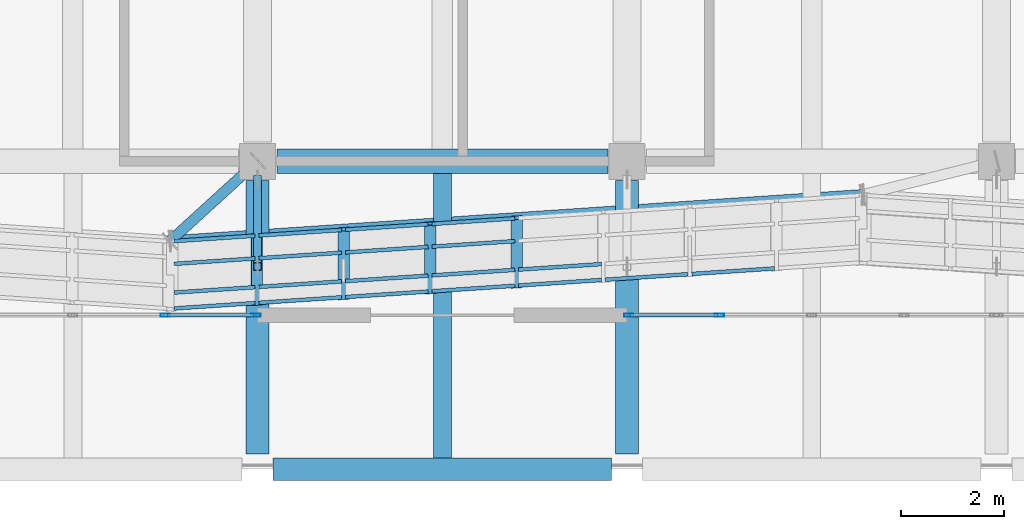
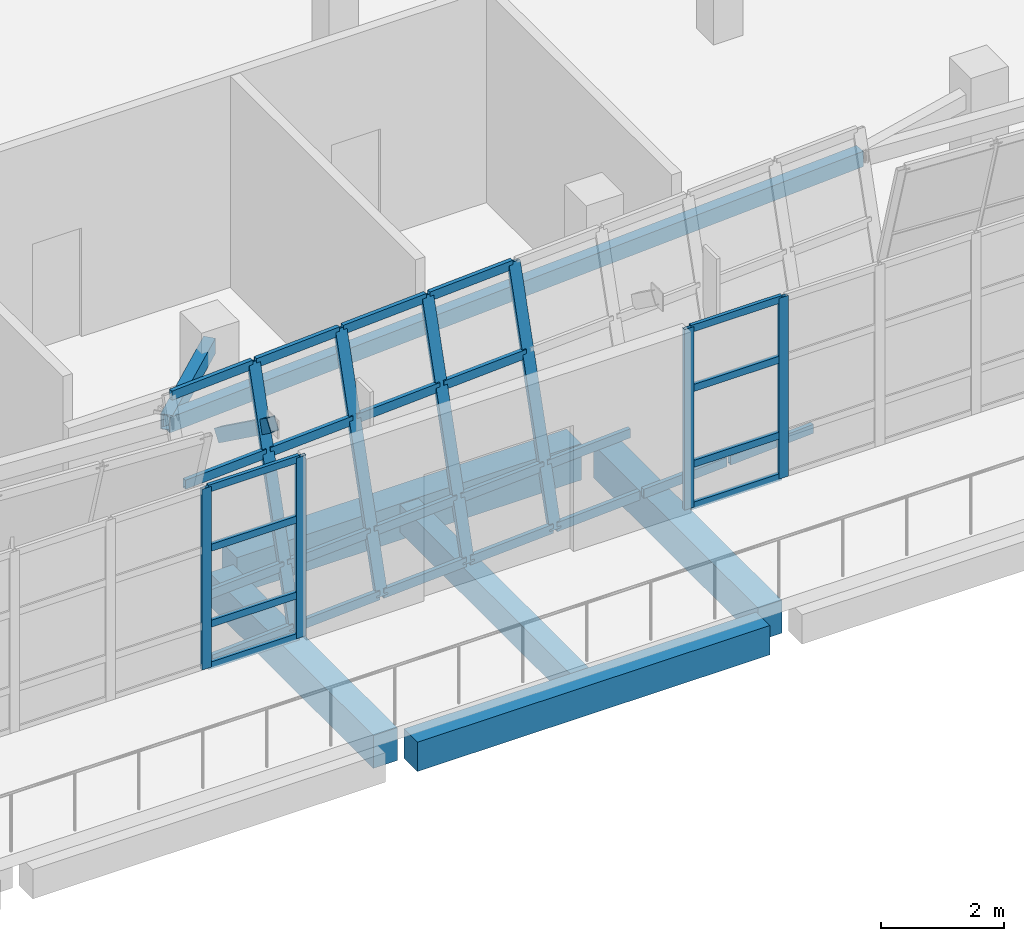
# One storey, part 5 of 67: 37 members, 7 beams, 3 elements without a shape of their own.
"""IFC4 building model written with IfcOpenShell, lengths in metres."""

from ifc_helpers import new_model, si_unit, direction, frame, origin, origin_2d, place, context, subcontext, project, spatial, rectangle, hollow_rectangle, extrude, material, material_profile, profile_set, type_object, element, aggregate, save


model = new_model("IFC4")

# Units and contexts
model_context = context("Model", 3, precision=1e-05, world=origin(), true_north=direction((0.0, 1.0)))
body_context = subcontext(model_context, "Body", "Model", "MODEL_VIEW")
ifc_project = project(units=[si_unit("LENGTHUNIT", "METRE"), si_unit("AREAUNIT", "SQUARE_METRE"), si_unit("VOLUMEUNIT", "CUBIC_METRE"), si_unit("PLANEANGLEUNIT", "RADIAN"), si_unit("MASSUNIT", "GRAM", prefix="KILO")], contexts=[model_context])

# Site, building, storey
site_placement = place(None, origin())
site = spatial("IfcSite", under=ifc_project, at=site_placement, CompositionType="ELEMENT")
building_placement = place(site_placement, origin())
building = spatial("IfcBuilding", under=site, at=building_placement, Name="Pellamere Symphony Hall", CompositionType="ELEMENT")
storey_placement = place(building_placement, frame((0.0, 0.0, 19.5)))
storey = spatial("IfcBuildingStorey", under=building, at=storey_placement, Name="L04", CompositionType="ELEMENT", Elevation=19.5)

# Curtain wall, members
ifc_material_1 = material(Name="Thermally Broken Anodised Aluminium 6063-T6 Curtain Wall", Category="aluminium")
curtain_wall_type_1 = type_object("IfcCurtainWallType", Name="Curtain Wall CW-01 (Tilted Faceted Crystal Low-Iron Curtain Wall)", PredefinedType="NOTDEFINED", material=ifc_material_1)
curtain_wall_1_placement = place(storey_placement, origin())
curtain_wall_1 = element("IfcCurtainWall", 1, at=curtain_wall_1_placement, inside=storey, type_object=curtain_wall_type_1, Name="Crystal Faceted Curtain Wall CW-CR02 (L04)", PredefinedType="NOTDEFINED")
ifc_material_2 = material(Name="Anodised Architectural Aluminium 6063-T6", Category="aluminium")
ifc_material_profile_1 = material_profile(ifc_material_2, hollow_rectangle(XDim=0.074951171875, YDim=0.219970703125, WallThickness=0.0048828125, at=origin_2d()), Name="ALU-M75X220X5")
ifc_profile_set_1 = profile_set([ifc_material_profile_1], Name="Anodised Architectural Aluminium 6063-T6")
member_type_1 = type_object("IfcMemberType", Name="Curtain Wall Mullion ML-01 ALU-M75X220X5", PredefinedType="MULLION", material=ifc_profile_set_1)
member_1_placement = place(storey_placement, frame((65.987548828125, 27.2294921875, 0.0), z_axis=(0.0, 0.284024567884, 0.95881700279), x_axis=(0.066519010519, -0.956693374484, 0.283395498301)))
member_1 = element("IfcMember", 2, at=member_1_placement, type_object=member_type_1, Name="CW1-002 crystal mullion 2", PredefinedType="MULLION", context=body_context, shape_type="SweptSolid", body=[
    extrude(hollow_rectangle(XDim=0.074951171875, YDim=0.219970703125, WallThickness=0.0048828125, at=origin_2d()), origin(), (0.0, 0.0, 1.0), 4.693359375),
])
member_2_placement = place(storey_placement, frame((67.675048828125, 27.342041015625, 0.0), z_axis=(0.0, 0.284024567884, 0.95881700279), x_axis=(0.066519010519, -0.956693374484, 0.283395498301)))
member_2 = element("IfcMember", 3, at=member_2_placement, type_object=member_type_1, Name="CW1-002 crystal mullion 3", PredefinedType="MULLION", context=body_context, shape_type="SweptSolid", body=[
    extrude(hollow_rectangle(XDim=0.074951171875, YDim=0.219970703125, WallThickness=0.0048828125, at=origin_2d()), origin(), (0.0, 0.0, 1.0), 4.693359375),
])
member_3_placement = place(storey_placement, frame((69.362548828125, 27.45458984375, 0.0), z_axis=(0.0, 0.284024567884, 0.95881700279), x_axis=(0.066519010519, -0.956693374484, 0.283395498301)))
member_3 = element("IfcMember", 4, at=member_3_placement, type_object=member_type_1, Name="CW1-002 crystal mullion 4", PredefinedType="MULLION", context=body_context, shape_type="SweptSolid", body=[
    extrude(hollow_rectangle(XDim=0.074951171875, YDim=0.219970703125, WallThickness=0.0048828125, at=origin_2d()), origin(), (0.0, 0.0, 1.0), 4.693359375),
])
member_4_placement = place(storey_placement, frame((71.050048828125, 27.56689453125, 0.0), z_axis=(0.0, 0.284024567884, 0.95881700279), x_axis=(0.066519010519, -0.956693374484, 0.283395498301)))
member_4 = element("IfcMember", 5, at=member_4_placement, type_object=member_type_1, Name="CW1-002 crystal mullion 5", PredefinedType="MULLION", context=body_context, shape_type="SweptSolid", body=[
    extrude(hollow_rectangle(XDim=0.074951171875, YDim=0.219970703125, WallThickness=0.0048828125, at=origin_2d()), origin(), (0.0, 0.0, 1.0), 4.693359375),
])

curtain_wall_type_2 = type_object("IfcCurtainWallType", Name="Curtain Wall CW-06 (Belvedere Terrace Clerestory Curtain Wall)", PredefinedType="NOTDEFINED", material=ifc_material_1)
curtain_wall_2_placement = place(storey_placement, origin())
curtain_wall_2 = element("IfcCurtainWall", 6, at=curtain_wall_2_placement, inside=storey, type_object=curtain_wall_type_2, Name="Winter-Garden South Curtain Wall (L04 Bay 2)", PredefinedType="NOTDEFINED")
ifc_material_profile_2 = material_profile(ifc_material_2, hollow_rectangle(XDim=0.06494140625, YDim=0.179931640625, WallThickness=0.00390625, at=origin_2d()), Name="ALU-M65X180X4")
ifc_profile_set_2 = profile_set([ifc_material_profile_2], Name="Anodised Architectural Aluminium 6063-T6")
member_type_2 = type_object("IfcMemberType", Name="Curtain Wall Mullion ML-02 ALU-M65X180X4", PredefinedType="MULLION", material=ifc_profile_set_2)
member_5_placement = place(storey_placement, frame((64.199951171875, 27.0, 0.0), z_axis=(0.0, 0.0, 1.0), x_axis=(0.0, 1.0, 0.0)))
member_5 = element("IfcMember", 7, at=member_5_placement, type_object=member_type_2, Name="CW2-096 crystal mullion 4", PredefinedType="MULLION", context=body_context, shape_type="SweptSolid", body=[
    extrude(hollow_rectangle(XDim=0.06494140625, YDim=0.179931640625, WallThickness=0.00390625, at=origin_2d()), origin(), (0.0, 0.0, 1.0), 3.577392578125),
])
member_6_placement = place(storey_placement, frame((65.967529296875, 27.0, 0.0), z_axis=(0.0, 0.0, 1.0), x_axis=(0.0, 1.0, 0.0)))
member_6 = element("IfcMember", 8, at=member_6_placement, type_object=member_type_2, Name="CW2-096 crystal mullion 5", PredefinedType="MULLION", context=body_context, shape_type="SweptSolid", body=[
    extrude(hollow_rectangle(XDim=0.06494140625, YDim=0.179931640625, WallThickness=0.00390625, at=origin_2d()), origin(), (0.0, 0.0, 1.0), 3.577392578125),
])

curtain_wall_3_placement = place(storey_placement, origin())
curtain_wall_3 = element("IfcCurtainWall", 9, at=curtain_wall_3_placement, inside=storey, type_object=curtain_wall_type_2, Name="Winter-Garden South Curtain Wall (L04 Bay 4)", PredefinedType="NOTDEFINED")
member_7_placement = place(storey_placement, frame((73.232421875, 27.0, 0.0), z_axis=(0.0, 0.0, 1.0), x_axis=(0.0, 1.0, 0.0)))
member_7 = element("IfcMember", 10, at=member_7_placement, type_object=member_type_2, Name="CW2-097 crystal mullion 1", PredefinedType="MULLION", context=body_context, shape_type="SweptSolid", body=[
    extrude(hollow_rectangle(XDim=0.06494140625, YDim=0.179931640625, WallThickness=0.00390625, at=origin_2d()), origin(), (0.0, 0.0, 1.0), 3.577392578125),
])
member_8_placement = place(storey_placement, frame((75.0, 27.0, 0.0), z_axis=(0.0, 0.0, 1.0), x_axis=(0.0, 1.0, 0.0)))
member_8 = element("IfcMember", 11, at=member_8_placement, type_object=member_type_2, Name="CW2-097 crystal mullion 2", PredefinedType="MULLION", context=body_context, shape_type="SweptSolid", body=[
    extrude(hollow_rectangle(XDim=0.06494140625, YDim=0.179931640625, WallThickness=0.00390625, at=origin_2d()), origin(), (0.0, 0.0, 1.0), 3.577392578125),
])

# Member
ifc_material_profile_3 = material_profile(ifc_material_2, hollow_rectangle(XDim=0.074951171875, YDim=0.179931640625, WallThickness=0.0048828125, at=origin_2d()), Name="ALU-T75X180X5")
ifc_profile_set_3 = profile_set([ifc_material_profile_3], Name="Anodised Architectural Aluminium 6063-T6")
member_type_3 = type_object("IfcMemberType", Name="Curtain Wall Transom TR-01 ALU-T75X180X5", PredefinedType="USERDEFINED", material=ifc_profile_set_3)
member_9_placement = place(storey_placement, frame((64.374755859375, 27.132568359375, 0.035888671875), z_axis=(0.99778720991, 0.066488222573, 0.0), x_axis=(-0.066488222573, 0.99778720991, 0.0)))
member_9 = element("IfcMember", 12, at=member_9_placement, type_object=member_type_3, Name="CW1-002 crystal transom 1.1", ObjectType="TRANSOM", PredefinedType="USERDEFINED", context=body_context, shape_type="SweptSolid", body=[
    extrude(hollow_rectangle(XDim=0.074951171875, YDim=0.179931640625, WallThickness=0.0048828125, at=origin_2d()), origin(), (0.0, 0.0, 1.0), 1.578857421875),
])

member_10_placement = place(storey_placement, frame((64.374755859375, 27.44189453125, 1.080078125), z_axis=(0.99778720991, 0.066488222573, 0.0), x_axis=(-0.066488222573, 0.99778720991, 0.0)))
member_10 = element("IfcMember", 13, at=member_10_placement, type_object=member_type_3, Name="CW1-002 crystal transom 1.2", ObjectType="TRANSOM", PredefinedType="USERDEFINED", context=body_context, shape_type="SweptSolid", body=[
    extrude(hollow_rectangle(XDim=0.074951171875, YDim=0.179931640625, WallThickness=0.0048828125, at=origin_2d()), origin(), (0.0, 0.0, 1.0), 1.578857421875),
])

member_11_placement = place(storey_placement, frame((64.374755859375, 28.001708984375, 2.969970703125), z_axis=(0.99778720991, 0.066488222573, 0.0), x_axis=(-0.066488222573, 0.99778720991, 0.0)))
member_11 = element("IfcMember", 14, at=member_11_placement, type_object=member_type_3, Name="CW1-002 crystal transom 1.3", ObjectType="TRANSOM", PredefinedType="USERDEFINED", context=body_context, shape_type="SweptSolid", body=[
    extrude(hollow_rectangle(XDim=0.074951171875, YDim=0.179931640625, WallThickness=0.0048828125, at=origin_2d()), origin(), (0.0, 0.0, 1.0), 1.578857421875),
])

member_12_placement = place(storey_placement, frame((64.374755859375, 28.4443359375, 4.464111328125), z_axis=(0.99778720991, 0.066488222573, 0.0), x_axis=(-0.066488222573, 0.99778720991, 0.0)))
member_12 = element("IfcMember", 15, at=member_12_placement, type_object=member_type_3, Name="CW1-002 crystal transom 1.4", ObjectType="TRANSOM", PredefinedType="USERDEFINED", context=body_context, shape_type="SweptSolid", body=[
    extrude(hollow_rectangle(XDim=0.074951171875, YDim=0.179931640625, WallThickness=0.0048828125, at=origin_2d()), origin(), (0.0, 0.0, 1.0), 1.578857421875),
])

member_13_placement = place(storey_placement, frame((66.02490234375, 27.24267578125, 0.035888671875), z_axis=(0.997789166031, 0.066458860589, 0.0), x_axis=(-0.066458860589, 0.997789166031, 0.0)))
member_13 = element("IfcMember", 16, at=member_13_placement, type_object=member_type_3, Name="CW1-002 crystal transom 2.1", ObjectType="TRANSOM", PredefinedType="USERDEFINED", context=body_context, shape_type="SweptSolid", body=[
    extrude(hollow_rectangle(XDim=0.074951171875, YDim=0.179931640625, WallThickness=0.0048828125, at=origin_2d()), origin(), (0.0, 0.0, 1.0), 1.616455078125),
])

member_14_placement = place(storey_placement, frame((66.02490234375, 27.552001953125, 1.080078125), z_axis=(0.997789166031, 0.066458860589, 0.0), x_axis=(-0.066458860589, 0.997789166031, 0.0)))
member_14 = element("IfcMember", 17, at=member_14_placement, type_object=member_type_3, Name="CW1-002 crystal transom 2.2", ObjectType="TRANSOM", PredefinedType="USERDEFINED", context=body_context, shape_type="SweptSolid", body=[
    extrude(hollow_rectangle(XDim=0.074951171875, YDim=0.179931640625, WallThickness=0.0048828125, at=origin_2d()), origin(), (0.0, 0.0, 1.0), 1.616455078125),
])

member_15_placement = place(storey_placement, frame((66.02490234375, 28.11181640625, 2.969970703125), z_axis=(0.997789166031, 0.066458860589, 0.0), x_axis=(-0.066458860589, 0.997789166031, 0.0)))
member_15 = element("IfcMember", 18, at=member_15_placement, type_object=member_type_3, Name="CW1-002 crystal transom 2.3", ObjectType="TRANSOM", PredefinedType="USERDEFINED", context=body_context, shape_type="SweptSolid", body=[
    extrude(hollow_rectangle(XDim=0.074951171875, YDim=0.179931640625, WallThickness=0.0048828125, at=origin_2d()), origin(), (0.0, 0.0, 1.0), 1.616455078125),
])

member_16_placement = place(storey_placement, frame((66.02490234375, 28.554443359375, 4.464111328125), z_axis=(0.997789166031, 0.066458860589, 0.0), x_axis=(-0.066458860589, 0.997789166031, 0.0)))
member_16 = element("IfcMember", 19, at=member_16_placement, type_object=member_type_3, Name="CW1-002 crystal transom 2.4", ObjectType="TRANSOM", PredefinedType="USERDEFINED", context=body_context, shape_type="SweptSolid", body=[
    extrude(hollow_rectangle(XDim=0.074951171875, YDim=0.179931640625, WallThickness=0.0048828125, at=origin_2d()), origin(), (0.0, 0.0, 1.0), 1.616455078125),
])

member_17_placement = place(storey_placement, frame((67.71240234375, 27.355224609375, 0.035888671875), z_axis=(0.997789166031, 0.066458860589, 0.0), x_axis=(-0.066458860589, 0.997789166031, 0.0)))
member_17 = element("IfcMember", 20, at=member_17_placement, type_object=member_type_3, Name="CW1-002 crystal transom 3.1", ObjectType="TRANSOM", PredefinedType="USERDEFINED", context=body_context, shape_type="SweptSolid", body=[
    extrude(hollow_rectangle(XDim=0.074951171875, YDim=0.179931640625, WallThickness=0.0048828125, at=origin_2d()), origin(), (0.0, 0.0, 1.0), 1.616455078125),
])

member_18_placement = place(storey_placement, frame((67.71240234375, 27.664306640625, 1.080078125), z_axis=(0.997779138857, 0.066609234065, 0.0), x_axis=(-0.066609234065, 0.997779138857, 0.0)))
member_18 = element("IfcMember", 21, at=member_18_placement, type_object=member_type_3, Name="CW1-002 crystal transom 3.2", ObjectType="TRANSOM", PredefinedType="USERDEFINED", context=body_context, shape_type="SweptSolid", body=[
    extrude(hollow_rectangle(XDim=0.074951171875, YDim=0.179931640625, WallThickness=0.0048828125, at=origin_2d()), origin(), (0.0, 0.0, 1.0), 1.616455078125),
])

member_19_placement = place(storey_placement, frame((67.71240234375, 28.224365234375, 2.969970703125), z_axis=(0.997789166031, 0.066458860589, 0.0), x_axis=(-0.066458860589, 0.997789166031, 0.0)))
member_19 = element("IfcMember", 22, at=member_19_placement, type_object=member_type_3, Name="CW1-002 crystal transom 3.3", ObjectType="TRANSOM", PredefinedType="USERDEFINED", context=body_context, shape_type="SweptSolid", body=[
    extrude(hollow_rectangle(XDim=0.074951171875, YDim=0.179931640625, WallThickness=0.0048828125, at=origin_2d()), origin(), (0.0, 0.0, 1.0), 1.616455078125),
])

member_20_placement = place(storey_placement, frame((67.71240234375, 28.666748046875, 4.464111328125), z_axis=(0.997779138857, 0.066609234065, 0.0), x_axis=(-0.066609234065, 0.997779138857, 0.0)))
member_20 = element("IfcMember", 23, at=member_20_placement, type_object=member_type_3, Name="CW1-002 crystal transom 3.4", ObjectType="TRANSOM", PredefinedType="USERDEFINED", context=body_context, shape_type="SweptSolid", body=[
    extrude(hollow_rectangle(XDim=0.074951171875, YDim=0.179931640625, WallThickness=0.0048828125, at=origin_2d()), origin(), (0.0, 0.0, 1.0), 1.616455078125),
])

member_21_placement = place(storey_placement, frame((69.39990234375, 27.467529296875, 0.035888671875), z_axis=(0.997779138857, 0.066609234065, 0.0), x_axis=(-0.066609234065, 0.997779138857, 0.0)))
member_21 = element("IfcMember", 24, at=member_21_placement, type_object=member_type_3, Name="CW1-002 crystal transom 4.1", ObjectType="TRANSOM", PredefinedType="USERDEFINED", context=body_context, shape_type="SweptSolid", body=[
    extrude(hollow_rectangle(XDim=0.074951171875, YDim=0.179931640625, WallThickness=0.0048828125, at=origin_2d()), origin(), (0.0, 0.0, 1.0), 1.616455078125),
])

member_22_placement = place(storey_placement, frame((69.39990234375, 27.77685546875, 1.080078125), z_axis=(0.997779138857, 0.066609234065, 0.0), x_axis=(-0.066609234065, 0.997779138857, 0.0)))
member_22 = element("IfcMember", 25, at=member_22_placement, type_object=member_type_3, Name="CW1-002 crystal transom 4.2", ObjectType="TRANSOM", PredefinedType="USERDEFINED", context=body_context, shape_type="SweptSolid", body=[
    extrude(hollow_rectangle(XDim=0.074951171875, YDim=0.179931640625, WallThickness=0.0048828125, at=origin_2d()), origin(), (0.0, 0.0, 1.0), 1.616455078125),
])

member_23_placement = place(storey_placement, frame((69.39990234375, 28.336669921875, 2.969970703125), z_axis=(0.997779138857, 0.066609234065, 0.0), x_axis=(-0.066609234065, 0.997779138857, 0.0)))
member_23 = element("IfcMember", 26, at=member_23_placement, type_object=member_type_3, Name="CW1-002 crystal transom 4.3", ObjectType="TRANSOM", PredefinedType="USERDEFINED", context=body_context, shape_type="SweptSolid", body=[
    extrude(hollow_rectangle(XDim=0.074951171875, YDim=0.179931640625, WallThickness=0.0048828125, at=origin_2d()), origin(), (0.0, 0.0, 1.0), 1.616455078125),
])

member_24_placement = place(storey_placement, frame((69.39990234375, 28.779296875, 4.464111328125), z_axis=(0.997779138857, 0.066609234065, 0.0), x_axis=(-0.066609234065, 0.997779138857, 0.0)))
member_24 = element("IfcMember", 27, at=member_24_placement, type_object=member_type_3, Name="CW1-002 crystal transom 4.4", ObjectType="TRANSOM", PredefinedType="USERDEFINED", context=body_context, shape_type="SweptSolid", body=[
    extrude(hollow_rectangle(XDim=0.074951171875, YDim=0.179931640625, WallThickness=0.0048828125, at=origin_2d()), origin(), (0.0, 0.0, 1.0), 1.616455078125),
])

member_25_placement = place(storey_placement, frame((71.08740234375, 27.580078125, 0.035888671875), z_axis=(0.997779138857, 0.066609234065, 0.0), x_axis=(-0.066609234065, 0.997779138857, 0.0)))
member_25 = element("IfcMember", 28, at=member_25_placement, type_object=member_type_3, Name="CW1-002 crystal transom 5.1", ObjectType="TRANSOM", PredefinedType="USERDEFINED", context=body_context, shape_type="SweptSolid", body=[
    extrude(hollow_rectangle(XDim=0.074951171875, YDim=0.179931640625, WallThickness=0.0048828125, at=origin_2d()), origin(), (0.0, 0.0, 1.0), 1.616455078125),
])

member_26_placement = place(storey_placement, frame((71.08740234375, 27.889404296875, 1.080078125), z_axis=(0.997789166031, 0.066458860589, 0.0), x_axis=(-0.066458860589, 0.997789166031, 0.0)))
member_26 = element("IfcMember", 29, at=member_26_placement, type_object=member_type_3, Name="CW1-002 crystal transom 5.2", ObjectType="TRANSOM", PredefinedType="USERDEFINED", context=body_context, shape_type="SweptSolid", body=[
    extrude(hollow_rectangle(XDim=0.074951171875, YDim=0.179931640625, WallThickness=0.0048828125, at=origin_2d()), origin(), (0.0, 0.0, 1.0), 1.616455078125),
])

member_27_placement = place(storey_placement, frame((72.77490234375, 27.692626953125, 0.035888671875), z_axis=(0.997789166031, 0.066458860589, 0.0), x_axis=(-0.066458860589, 0.997789166031, 0.0)))
member_27 = element("IfcMember", 30, at=member_27_placement, type_object=member_type_3, Name="CW1-002 crystal transom 6.1", ObjectType="TRANSOM", PredefinedType="USERDEFINED", context=body_context, shape_type="SweptSolid", body=[
    extrude(hollow_rectangle(XDim=0.074951171875, YDim=0.179931640625, WallThickness=0.0048828125, at=origin_2d()), origin(), (0.0, 0.0, 1.0), 1.616455078125),
])

member_28_placement = place(storey_placement, frame((74.46240234375, 27.80517578125, 0.035888671875), z_axis=(0.997789166031, 0.066458860589, 0.0), x_axis=(-0.066458860589, 0.997789166031, 0.0)))
member_28 = element("IfcMember", 31, at=member_28_placement, type_object=member_type_3, Name="CW1-002 crystal transom 7.1", ObjectType="TRANSOM", PredefinedType="USERDEFINED", context=body_context, shape_type="SweptSolid", body=[
    extrude(hollow_rectangle(XDim=0.074951171875, YDim=0.179931640625, WallThickness=0.0048828125, at=origin_2d()), origin(), (0.0, 0.0, 1.0), 1.616455078125),
])

aggregate(curtain_wall_1, [member_1, member_2, member_3, member_4, member_9, member_10, member_11, member_12, member_13, member_14, member_15, member_16, member_17, member_18, member_19, member_20, member_21, member_22, member_23, member_24, member_25, member_26, member_27, member_28])

ifc_material_profile_4 = material_profile(ifc_material_2, hollow_rectangle(XDim=0.06494140625, YDim=0.139892578125, WallThickness=0.00390625, at=origin_2d()), Name="ALU-T65X140X4")
ifc_profile_set_4 = profile_set([ifc_material_profile_4], Name="Anodised Architectural Aluminium 6063-T6")
member_type_4 = type_object("IfcMemberType", Name="Curtain Wall Transom TR-02 ALU-T65X140X4", PredefinedType="USERDEFINED", material=ifc_profile_set_4)
member_29_placement = place(storey_placement, frame((64.232421875, 27.0, 0.032470703125), z_axis=(1.0, 0.0, 0.0), x_axis=(0.0, 1.0, 0.0)))
member_29 = element("IfcMember", 32, at=member_29_placement, type_object=member_type_4, Name="CW2-096 crystal transom 4.1", ObjectType="TRANSOM", PredefinedType="USERDEFINED", context=body_context, shape_type="SweptSolid", body=[
    extrude(hollow_rectangle(XDim=0.06494140625, YDim=0.139892578125, WallThickness=0.00390625, at=origin_2d()), origin(), (0.0, 0.0, 1.0), 1.70263671875),
])

member_30_placement = place(storey_placement, frame((64.232421875, 27.0, 0.858642578125), z_axis=(1.0, 0.0, 0.0), x_axis=(0.0, 1.0, 0.0)))
member_30 = element("IfcMember", 33, at=member_30_placement, type_object=member_type_4, Name="CW2-096 crystal transom 4.2", ObjectType="TRANSOM", PredefinedType="USERDEFINED", context=body_context, shape_type="SweptSolid", body=[
    extrude(hollow_rectangle(XDim=0.06494140625, YDim=0.139892578125, WallThickness=0.00390625, at=origin_2d()), origin(), (0.0, 0.0, 1.0), 1.70263671875),
])

member_31_placement = place(storey_placement, frame((64.232421875, 27.0, 2.361083984375), z_axis=(1.0, 0.0, 0.0), x_axis=(0.0, 1.0, 0.0)))
member_31 = element("IfcMember", 34, at=member_31_placement, type_object=member_type_4, Name="CW2-096 crystal transom 4.3", ObjectType="TRANSOM", PredefinedType="USERDEFINED", context=body_context, shape_type="SweptSolid", body=[
    extrude(hollow_rectangle(XDim=0.06494140625, YDim=0.139892578125, WallThickness=0.00390625, at=origin_2d()), origin(), (0.0, 0.0, 1.0), 1.70263671875),
])

member_32_placement = place(storey_placement, frame((64.232421875, 27.0, 3.544921875), z_axis=(1.0, 0.0, 0.0), x_axis=(0.0, 1.0, 0.0)))
member_32 = element("IfcMember", 35, at=member_32_placement, type_object=member_type_4, Name="CW2-096 crystal transom 4.4", ObjectType="TRANSOM", PredefinedType="USERDEFINED", context=body_context, shape_type="SweptSolid", body=[
    extrude(hollow_rectangle(XDim=0.06494140625, YDim=0.139892578125, WallThickness=0.00390625, at=origin_2d()), origin(), (0.0, 0.0, 1.0), 1.70263671875),
])

aggregate(curtain_wall_2, [member_5, member_6, member_29, member_30, member_31, member_32])

member_33_placement = place(storey_placement, frame((73.264892578125, 27.0, 0.032470703125), z_axis=(1.0, 0.0, 0.0), x_axis=(0.0, 1.0, 0.0)))
member_33 = element("IfcMember", 36, at=member_33_placement, type_object=member_type_4, Name="CW2-097 crystal transom 1.1", ObjectType="TRANSOM", PredefinedType="USERDEFINED", context=body_context, shape_type="SweptSolid", body=[
    extrude(hollow_rectangle(XDim=0.06494140625, YDim=0.139892578125, WallThickness=0.00390625, at=origin_2d()), origin(), (0.0, 0.0, 1.0), 1.70263671875),
])

member_34_placement = place(storey_placement, frame((73.264892578125, 27.0, 0.858642578125), z_axis=(1.0, 0.0, 0.0), x_axis=(0.0, 1.0, 0.0)))
member_34 = element("IfcMember", 37, at=member_34_placement, type_object=member_type_4, Name="CW2-097 crystal transom 1.2", ObjectType="TRANSOM", PredefinedType="USERDEFINED", context=body_context, shape_type="SweptSolid", body=[
    extrude(hollow_rectangle(XDim=0.06494140625, YDim=0.139892578125, WallThickness=0.00390625, at=origin_2d()), origin(), (0.0, 0.0, 1.0), 1.70263671875),
])

member_35_placement = place(storey_placement, frame((73.264892578125, 27.0, 2.361083984375), z_axis=(1.0, 0.0, 0.0), x_axis=(0.0, 1.0, 0.0)))
member_35 = element("IfcMember", 38, at=member_35_placement, type_object=member_type_4, Name="CW2-097 crystal transom 1.3", ObjectType="TRANSOM", PredefinedType="USERDEFINED", context=body_context, shape_type="SweptSolid", body=[
    extrude(hollow_rectangle(XDim=0.06494140625, YDim=0.139892578125, WallThickness=0.00390625, at=origin_2d()), origin(), (0.0, 0.0, 1.0), 1.70263671875),
])

member_36_placement = place(storey_placement, frame((73.264892578125, 27.0, 3.544921875), z_axis=(1.0, 0.0, 0.0), x_axis=(0.0, 1.0, 0.0)))
member_36 = element("IfcMember", 39, at=member_36_placement, type_object=member_type_4, Name="CW2-097 crystal transom 1.4", ObjectType="TRANSOM", PredefinedType="USERDEFINED", context=body_context, shape_type="SweptSolid", body=[
    extrude(hollow_rectangle(XDim=0.06494140625, YDim=0.139892578125, WallThickness=0.00390625, at=origin_2d()), origin(), (0.0, 0.0, 1.0), 1.70263671875),
])

aggregate(curtain_wall_3, [member_7, member_8, member_33, member_34, member_35, member_36])

# Beams
ifc_material_3 = material(Name="Concrete 40 MPa", Category="concrete")
ifc_material_profile_5 = material_profile(ifc_material_3, rectangle(XDim=0.449951171875, YDim=0.64990234375, at=origin_2d()), Name="RC 450x650")
ifc_profile_set_5 = profile_set([ifc_material_profile_5], Name="Concrete 40 MPa")
beam_type_1 = type_object("IfcBeamType", Name="RC CB-08 450x650", PredefinedType="BEAM", material=ifc_profile_set_5)
for number, where, z_axis, x_axis, name in (
    (40, (66.0, 24.300048828125, -0.5849609375), (0.0, 1.0, 0.0), (-1.0, 0.0, 0.0), "Girder CB-08-Y1886 (L04)"),
    (41, (73.199951171875, 24.300048828125, -0.5849609375), (0.0, 1.0, 0.0), (-1.0, 0.0, 0.0), "Girder CB-08-Y1889 (L04)"),
):
    element("IfcBeam", number, at=place(storey_placement, frame(where, z_axis=z_axis, x_axis=x_axis)), inside=storey, type_object=beam_type_1, Name=name, PredefinedType="BEAM", context=body_context, shape_type="SweptSolid", body=[
        extrude(rectangle(XDim=0.449951171875, YDim=0.64990234375, at=origin_2d()), origin(), (0.0, 0.0, 1.0), 5.324951171875),
    ])
ifc_material_4 = material(Name="Concrete 35 MPa", Category="concrete")
ifc_material_profile_6 = material_profile(ifc_material_4, rectangle(XDim=0.35009765625, YDim=0.550048828125, at=origin_2d()), Name="RC 350x550")
ifc_profile_set_6 = profile_set([ifc_material_profile_6], Name="Concrete 35 MPa")
beam_type_2 = type_object("IfcBeamType", Name="RC CB-10 350x550", PredefinedType="BEAM", material=ifc_profile_set_6)
beam_1_placement = place(storey_placement, frame((69.60009765625, 24.219970703125, -0.550048828125), z_axis=(0.0, 1.0, 0.0), x_axis=(-1.0, 0.0, 0.0)))
element("IfcBeam", 42, at=beam_1_placement, inside=storey, type_object=beam_type_2, Name="Secondary Floor Beam CB-10-M0803 (L04)", PredefinedType="BEAM", context=body_context, shape_type="SweptSolid", body=[
    extrude(rectangle(XDim=0.35009765625, YDim=0.550048828125, at=origin_2d()), origin(), (0.0, 0.0, 1.0), 5.5400390625),
])
ifc_material_profile_7 = material_profile(ifc_material_3, rectangle(XDim=0.47998046875, YDim=0.719970703125, at=origin_2d()), Name="RC 480x720")
ifc_profile_set_7 = profile_set([ifc_material_profile_7], Name="Concrete 40 MPa")
beam_type_3 = type_object("IfcBeamType", Name="RC CB-14 480x720", PredefinedType="SPANDREL", material=ifc_profile_set_7)
beam_2_placement = place(storey_placement, frame((66.375, 30.0, -0.6201171875), z_axis=(1.0, 0.0, 0.0), x_axis=(0.0, 1.0, 0.0)))
element("IfcBeam", 43, at=beam_2_placement, inside=storey, type_object=beam_type_3, Name="Girder CB-14-X1805 (L04)", PredefinedType="SPANDREL", context=body_context, shape_type="SweptSolid", body=[
    extrude(rectangle(XDim=0.47998046875, YDim=0.719970703125, at=origin_2d()), origin(), (0.0, 0.0, 1.0), 6.449951171875),
])
ifc_material_profile_8 = material_profile(ifc_material_3, rectangle(XDim=0.43994140625, YDim=0.580078125, at=origin_2d()), Name="RC 440x580")
ifc_profile_set_8 = profile_set([ifc_material_profile_8], Name="Concrete 40 MPa")
beam_type_4 = type_object("IfcBeamType", Name="RC CB-20 440x580", PredefinedType="BEAM", material=ifc_profile_set_8)
beam_3_placement = place(storey_placement, frame((66.300048828125, 24.0, -0.550048828125), z_axis=(1.0, 0.0, 0.0), x_axis=(0.0, 1.0, 0.0)))
element("IfcBeam", 44, at=beam_3_placement, inside=storey, type_object=beam_type_4, Name="Girder CB-20-X1795 (L04)", PredefinedType="BEAM", context=body_context, shape_type="SweptSolid", body=[
    extrude(rectangle(XDim=0.43994140625, YDim=0.580078125, at=origin_2d()), origin(), (0.0, 0.0, 1.0), 6.599853515625),
])

# Member
ifc_material_5 = material(Name="Steel CSA G40.21 350W", Category="steel")
ifc_material_profile_9 = material_profile(ifc_material_5, hollow_rectangle(XDim=0.15234375, YDim=0.25390625, WallThickness=0.010986328125, at=origin_2d()), Name="HSS254X152X11")
ifc_profile_set_9 = profile_set([ifc_material_profile_9], Name="Steel CSA G40.21 350W")
member_type_5 = type_object("IfcMemberType", Name="Steel Member SM-07 HSS254X152X11", PredefinedType="STRUT", material=ifc_profile_set_9)
member_37_placement = place(storey_placement, frame((66.0, 29.64990234375, 2.3798828125), z_axis=(0.0, -0.810117421181, 0.586267655512), x_axis=(1.0, 0.0, 0.0)))
element("IfcMember", 45, at=member_37_placement, inside=storey, type_object=member_type_5, Name="Winter-Garden Canopy Knee Strut 02", PredefinedType="STRUT", context=body_context, shape_type="SweptSolid", body=[
    extrude(hollow_rectangle(XDim=0.15234375, YDim=0.25390625, WallThickness=0.010986328125, at=origin_2d()), origin(), (0.0, 0.0, 1.0), 2.098388671875),
])

# Beams
ifc_material_profile_10 = material_profile(ifc_material_5, hollow_rectangle(XDim=0.203125, YDim=0.3046875, WallThickness=0.0126953125, at=origin_2d()), Name="HSS305X203X13")
ifc_profile_set_10 = profile_set([ifc_material_profile_10], Name="Steel CSA G40.21 350W")
beam_type_5 = type_object("IfcBeamType", Name="Steel Spandrel SB-26 HSS305X203X13", PredefinedType="SPANDREL", material=ifc_profile_set_10)
beam_4_placement = place(storey_placement, frame((66.0, 30.0, 3.93994140625), z_axis=(-0.738935641579, -0.673776014417, 0.0), x_axis=(0.673776014417, -0.738935641579, 0.0)))
element("IfcBeam", 46, at=beam_4_placement, inside=storey, type_object=beam_type_5, Name="Crystal Ring Outrigger Bracket 003 (L04)", PredefinedType="SPANDREL", context=body_context, shape_type="SweptSolid", body=[
    extrude(hollow_rectangle(XDim=0.203125, YDim=0.3046875, WallThickness=0.0126953125, at=origin_2d()), origin(), (0.0, 0.0, 1.0), 2.300537109375),
])
beam_5_placement = place(storey_placement, frame((64.300048828125, 28.449951171875, 3.93994140625), z_axis=(0.997784439215, 0.066529789268, 0.0), x_axis=(-0.066529789268, 0.997784439215, 0.0)))
element("IfcBeam", 47, at=beam_5_placement, inside=storey, type_object=beam_type_5, Name="Crystal Perimeter Ring Beam CW-CR02 (L04)", PredefinedType="SPANDREL", context=body_context, shape_type="SweptSolid", body=[
    extrude(hollow_rectangle(XDim=0.203125, YDim=0.3046875, WallThickness=0.0126953125, at=origin_2d()), origin(), (0.0, 0.0, 1.0), 13.530029296875),
])

save(model, "model.ifc")
